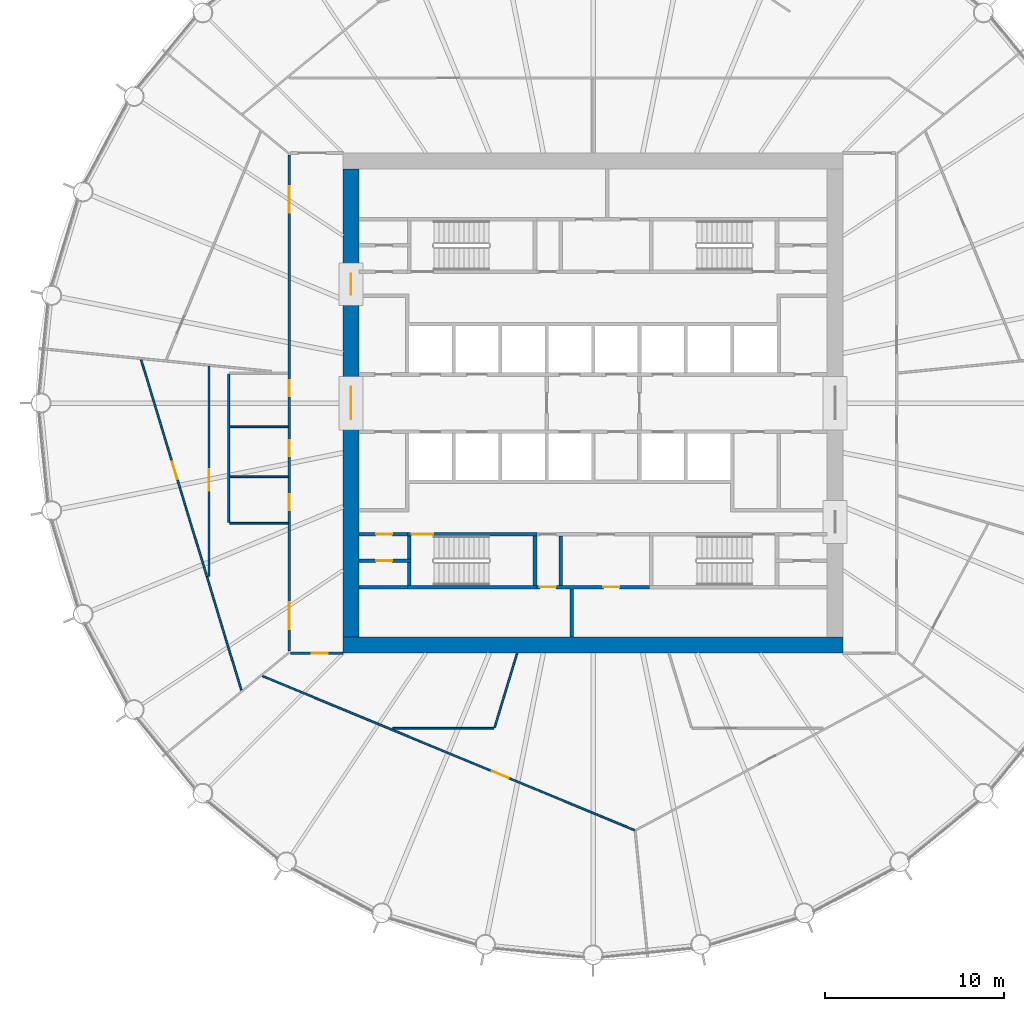
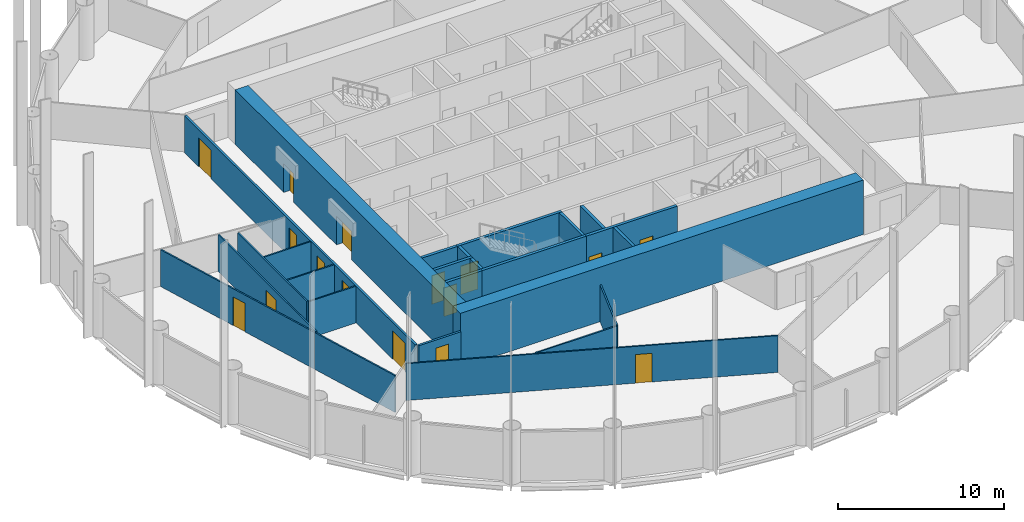
# One storey, part 4 of 9: 25 walls, 16 doors, 16 openings.
"""IFC4 building model written with IfcOpenShell, lengths in metres."""

from ifc_helpers import new_model, si_unit, direction, frame, frame_2d, origin, place, context, subcontext, project, spatial, polyline, rectangle, outline, extrude, material, layer, layer_set, type_object, element, fill, save


model = new_model("IFC4")

# Units and contexts
model_context = context("Model", 3, precision=1e-05, world=origin(), true_north=direction((0.0, 1.0)))
body_context = subcontext(model_context, "Body", "Model", "MODEL_VIEW")
ifc_project = project(units=[si_unit("LENGTHUNIT", "METRE"), si_unit("AREAUNIT", "SQUARE_METRE"), si_unit("VOLUMEUNIT", "CUBIC_METRE"), si_unit("PLANEANGLEUNIT", "RADIAN"), si_unit("MASSUNIT", "GRAM", prefix="KILO")], contexts=[model_context])

# Site, building, storey
site_placement = place(None, origin())
site = spatial("IfcSite", under=ifc_project, at=site_placement, CompositionType="ELEMENT")
building_placement = place(site_placement, origin())
building = spatial("IfcBuilding", under=site, at=building_placement, Name="Corvane Civic Tower", CompositionType="ELEMENT")
storey_placement = place(building_placement, frame((0.0, 0.0, 188.0)))
storey = spatial("IfcBuildingStorey", under=building, at=storey_placement, Name="L44", CompositionType="ELEMENT", Elevation=188.0)

# Wall
ifc_material_1 = material(Name="Concrete C60/75", Category="concrete")
ifc_layer_1 = layer(ifc_material_1, 0.89990234375)
ifc_layer_set_1 = layer_set([ifc_layer_1], Name="Concrete C60/75")
wall_type_1 = type_object("IfcWallType", Name="CORE WALL 900 C60/75", PredefinedType="SHEAR", material=ifc_layer_set_1)
wall_1_placement = place(storey_placement, frame((-14.0, -13.550048828125, 0.0), z_axis=(0.0, 0.0, 1.0), x_axis=(1.0, 0.0, 0.0)))
element("IfcWall", 1, at=wall_1_placement, inside=storey, type_object=wall_type_1, Name="W-L44-core-S", PredefinedType="SHEAR", context=body_context, shape_type="SweptSolid", body=[
    extrude(rectangle(XDim=28.0, YDim=0.89990234375, at=frame_2d((14.0, 0.0))), origin(), (0.0, 0.0, 1.0), 4.0),
])

# Wall, openings, doors
wall_2_placement = place(storey_placement, frame((-13.550048828125, -13.10009765625, 0.0), z_axis=(0.0, 0.0, 1.0), x_axis=(0.0, 1.0, 0.0)))
wall_2 = element("IfcWall", 2, at=wall_2_placement, inside=storey, type_object=wall_type_1, Name="W-L44-core-W", PredefinedType="SHEAR", context=body_context, shape_type="SweptSolid", body=[
    extrude(rectangle(XDim=26.2001953125, YDim=0.89990234375, at=frame_2d((13.10009765625, 0.0))), origin(), (0.0, 0.0, 1.0), 4.0),
])
opening_1_placement = place(wall_2_placement, frame((12.199951171875, 0.0, 0.0)))
opening_1 = element("IfcOpeningElement", 3, at=opening_1_placement, cuts=wall_2, Name="Opening L44.C29", PredefinedType="OPENING", context=body_context, shape_type="SweptSolid", body=[
    extrude(rectangle(XDim=1.800048828125, YDim=2.10009765625, at=frame_2d((0.89990234375, 1.050048828125))), frame((0.0, 0.4599609375, 0.0), z_axis=(0.0, -1.0, 0.0), x_axis=(1.0, 0.0, 0.0)), (0.0, 0.0, 1.0), 0.919921875),
])
opening_2_placement = place(wall_2_placement, frame((19.14990234375, 0.0, 0.0)))
opening_2 = element("IfcOpeningElement", 4, at=opening_2_placement, cuts=wall_2, Name="Opening L44.C31", PredefinedType="OPENING", context=body_context, shape_type="SweptSolid", body=[
    extrude(rectangle(XDim=1.199951171875, YDim=2.10009765625, at=frame_2d((0.60009765625, 1.050048828125))), frame((0.0, 0.4599609375, 0.0), z_axis=(0.0, -1.0, 0.0), x_axis=(1.0, 0.0, 0.0)), (0.0, 0.0, 1.0), 0.919921875),
])
ifc_material_2 = material(Name="Steel fire door leaf", Category="steel")
door_type_1 = type_object("IfcDoorType", Name="CR-DOOR-CORE-1800", OperationType="DOUBLE_DOOR_SINGLE_SWING", PredefinedType="DOOR", material=ifc_material_2)
door_1_placement = place(opening_1_placement, origin())
door_1 = element("IfcDoor", 5, at=door_1_placement, inside=storey, type_object=door_type_1, Name="L44 door", OperationType="DOUBLE_DOOR_SINGLE_SWING", OverallHeight=2.10009765625, OverallWidth=1.800048828125, PredefinedType="DOOR", context=body_context, shape_type="SweptSolid", body=[
    extrude(rectangle(XDim=1.800048828125, YDim=2.10009765625, at=frame_2d((0.89990234375, 1.050048828125))), frame((0.0, 0.02490234375, 0.0), z_axis=(0.0, -1.0, 0.0), x_axis=(1.0, 0.0, 0.0)), (0.0, 0.0, 1.0), 0.050048828125),
])
fill(opening_1, door_1)
door_2_placement = place(opening_2_placement, origin())
door_2 = element("IfcDoor", 6, at=door_2_placement, inside=storey, type_object=door_type_1, Name="L44 door", OperationType="DOUBLE_DOOR_SINGLE_SWING", OverallHeight=2.10009765625, OverallWidth=1.199951171875, PredefinedType="DOOR", context=body_context, shape_type="SweptSolid", body=[
    extrude(rectangle(XDim=1.199951171875, YDim=2.10009765625, at=frame_2d((0.60009765625, 1.050048828125))), frame((0.0, 0.02490234375, 0.0), z_axis=(0.0, -1.0, 0.0), x_axis=(1.0, 0.0, 0.0)), (0.0, 0.0, 1.0), 0.050048828125),
])
fill(opening_2, door_2)

ifc_material_3 = material(Name="Concrete C30/37", Category="concrete")
ifc_layer_2 = layer(ifc_material_3, 0.199951171875)
ifc_layer_set_2 = layer_set([ifc_layer_2], Name="Concrete C30/37")
wall_type_2 = type_object("IfcWallType", Name="CR-WALL-200", PredefinedType="PARTITIONING", material=ifc_layer_set_2)
wall_3_placement = place(storey_placement, frame((-3.14990234375, -10.300048828125, 0.0), z_axis=(0.0, 0.0, 1.0), x_axis=(1.0, 0.0, 0.0)))
wall_3 = element("IfcWall", 7, at=wall_3_placement, inside=storey, type_object=wall_type_2, Name="L44 partition wall", PredefinedType="PARTITIONING", context=body_context, shape_type="SweptSolid", body=[
    extrude(rectangle(XDim=6.2998046875, YDim=0.199951171875, at=frame_2d((3.14990234375, 0.0))), origin(), (0.0, 0.0, 1.0), 3.699951171875),
])
opening_3_placement = place(wall_3_placement, frame((0.175048828125, 0.0, 0.0)))
opening_3 = element("IfcOpeningElement", 8, at=opening_3_placement, cuts=wall_3, Name="Opening L44.C13", PredefinedType="OPENING", context=body_context, shape_type="SweptSolid", body=[
    extrude(rectangle(XDim=0.89990234375, YDim=2.10009765625, at=frame_2d((0.449951171875, 1.050048828125))), frame((0.0, 0.10986328125, 0.0), z_axis=(0.0, -1.0, 0.0), x_axis=(1.0, 0.0, 0.0)), (0.0, 0.0, 1.0), 0.219970703125),
])
opening_4_placement = place(wall_3_placement, frame((3.72509765625, 0.0, 0.0)))
opening_4 = element("IfcOpeningElement", 9, at=opening_4_placement, cuts=wall_3, Name="Opening L44.C14", PredefinedType="OPENING", context=body_context, shape_type="SweptSolid", body=[
    extrude(rectangle(XDim=0.89990234375, YDim=2.10009765625, at=frame_2d((0.449951171875, 1.050048828125))), frame((0.0, 0.10986328125, 0.0), z_axis=(0.0, -1.0, 0.0), x_axis=(1.0, 0.0, 0.0)), (0.0, 0.0, 1.0), 0.219970703125),
])
ifc_material_4 = material(Name="Steel fire door leaf", Category="steel")
door_type_2 = type_object("IfcDoorType", Name="CR-DOOR-900", OperationType="SINGLE_SWING_LEFT", PredefinedType="DOOR", material=ifc_material_4)
door_3_placement = place(opening_3_placement, origin())
door_3 = element("IfcDoor", 10, at=door_3_placement, inside=storey, type_object=door_type_2, Name="L44 door", OperationType="SINGLE_SWING_LEFT", OverallHeight=2.10009765625, OverallWidth=0.89990234375, PredefinedType="DOOR", context=body_context, shape_type="SweptSolid", body=[
    extrude(rectangle(XDim=0.89990234375, YDim=2.10009765625, at=frame_2d((0.449951171875, 1.050048828125))), frame((0.0, 0.02490234375, 0.0), z_axis=(0.0, -1.0, 0.0), x_axis=(1.0, 0.0, 0.0)), (0.0, 0.0, 1.0), 0.050048828125),
])
fill(opening_3, door_3)
door_4_placement = place(opening_4_placement, origin())
door_4 = element("IfcDoor", 11, at=door_4_placement, inside=storey, type_object=door_type_2, Name="L44 door", OperationType="SINGLE_SWING_LEFT", OverallHeight=2.10009765625, OverallWidth=0.89990234375, PredefinedType="DOOR", context=body_context, shape_type="SweptSolid", body=[
    extrude(rectangle(XDim=0.89990234375, YDim=2.10009765625, at=frame_2d((0.449951171875, 1.050048828125))), frame((0.0, 0.02490234375, 0.0), z_axis=(0.0, -1.0, 0.0), x_axis=(1.0, 0.0, 0.0)), (0.0, 0.0, 1.0), 0.050048828125),
])
fill(opening_4, door_4)

# Wall, opening, door
wall_4_placement = place(storey_placement, frame((-13.10009765625, -8.824951171875, 0.0), z_axis=(0.0, 0.0, 1.0), x_axis=(1.0, 0.0, 0.0)))
wall_4 = element("IfcWall", 12, at=wall_4_placement, inside=storey, type_object=wall_type_2, Name="L44 partition wall", PredefinedType="PARTITIONING", context=body_context, shape_type="SweptSolid", body=[
    extrude(rectangle(XDim=2.900146484375, YDim=0.199951171875, at=frame_2d((1.4501953125, 0.0))), origin(), (0.0, 0.0, 1.0), 3.699951171875),
])
opening_5_placement = place(wall_4_placement, frame((0.949951171875, 0.0, 0.0)))
opening_5 = element("IfcOpeningElement", 13, at=opening_5_placement, cuts=wall_4, Name="Opening L44.C18", PredefinedType="OPENING", context=body_context, shape_type="SweptSolid", body=[
    extrude(rectangle(XDim=0.89990234375, YDim=2.10009765625, at=frame_2d((0.449951171875, 1.050048828125))), frame((0.0, 0.10986328125, 0.0), z_axis=(0.0, -1.0, 0.0), x_axis=(1.0, 0.0, 0.0)), (0.0, 0.0, 1.0), 0.219970703125),
])
door_5_placement = place(opening_5_placement, origin())
door_5 = element("IfcDoor", 14, at=door_5_placement, inside=storey, type_object=door_type_2, Name="L44 door", OperationType="SINGLE_SWING_LEFT", OverallHeight=2.10009765625, OverallWidth=0.89990234375, PredefinedType="DOOR", context=body_context, shape_type="SweptSolid", body=[
    extrude(rectangle(XDim=0.89990234375, YDim=2.10009765625, at=frame_2d((0.449951171875, 1.050048828125))), frame((0.0, 0.02490234375, 0.0), z_axis=(0.0, -1.0, 0.0), x_axis=(1.0, 0.0, 0.0)), (0.0, 0.0, 1.0), 0.050048828125),
])
fill(opening_5, door_5)

wall_5_placement = place(storey_placement, frame((-13.10009765625, -7.35009765625, 0.0), z_axis=(0.0, 0.0, 1.0), x_axis=(1.0, 0.0, 0.0)))
wall_5 = element("IfcWall", 15, at=wall_5_placement, inside=storey, type_object=wall_type_2, Name="L44 core partition wall", PredefinedType="PARTITIONING", context=body_context, shape_type="SweptSolid", body=[
    extrude(rectangle(XDim=2.7001953125, YDim=0.199951171875, at=frame_2d((1.35009765625, 0.0))), origin(), (0.0, 0.0, 1.0), 3.699951171875),
])
opening_6_placement = place(wall_5_placement, frame((0.949951171875, 0.0, 0.0)))
opening_6 = element("IfcOpeningElement", 16, at=opening_6_placement, cuts=wall_5, Name="Opening L44.C17", PredefinedType="OPENING", context=body_context, shape_type="SweptSolid", body=[
    extrude(rectangle(XDim=0.89990234375, YDim=2.10009765625, at=frame_2d((0.449951171875, 1.050048828125))), frame((0.0, 0.10986328125, 0.0), z_axis=(0.0, -1.0, 0.0), x_axis=(1.0, 0.0, 0.0)), (0.0, 0.0, 1.0), 0.219970703125),
])
door_6_placement = place(opening_6_placement, origin())
door_6 = element("IfcDoor", 17, at=door_6_placement, inside=storey, type_object=door_type_2, Name="L44 door", OperationType="SINGLE_SWING_LEFT", OverallHeight=2.10009765625, OverallWidth=0.89990234375, PredefinedType="DOOR", context=body_context, shape_type="SweptSolid", body=[
    extrude(rectangle(XDim=0.89990234375, YDim=2.10009765625, at=frame_2d((0.449951171875, 1.050048828125))), frame((0.0, 0.02490234375, 0.0), z_axis=(0.0, -1.0, 0.0), x_axis=(1.0, 0.0, 0.0)), (0.0, 0.0, 1.0), 0.050048828125),
])
fill(opening_6, door_6)

# Walls
wall_6_placement = place(storey_placement, origin())
element("IfcWall", 18, at=wall_6_placement, inside=storey, type_object=wall_type_2, Name="L44 core partition wall", PredefinedType="PARTITIONING", context=body_context, shape_type="SweptSolid", body=[
    extrude(outline(polyline([(-10.39990234375, -10.39990234375), (-13.10009765625, -10.39990234375), (-13.10009765625, -10.199951171875), (-10.39990234375, -10.199951171875), (-10.39990234375, -10.39990234375)])), origin(), (0.0, 0.0, 1.0), 3.699951171875),
])
wall_7_placement = place(storey_placement, origin())
element("IfcWall", 19, at=wall_7_placement, inside=storey, type_object=wall_type_2, Name="L44 core partition wall", PredefinedType="PARTITIONING", context=body_context, shape_type="SweptSolid", body=[
    extrude(outline(polyline([(-1.699951171875, -7.449951171875), (-1.699951171875, -10.199951171875), (-1.89990234375, -10.199951171875), (-1.89990234375, -7.449951171875), (-1.699951171875, -7.449951171875)])), origin(), (0.0, 0.0, 1.0), 3.699951171875),
])
wall_8_placement = place(storey_placement, origin())
element("IfcWall", 20, at=wall_8_placement, inside=storey, type_object=wall_type_2, Name="L44 core partition wall", PredefinedType="PARTITIONING", context=body_context, shape_type="SweptSolid", body=[
    extrude(outline(polyline([(-1.10009765625, -13.10009765625), (-1.300048828125, -13.10009765625), (-1.300048828125, -10.39990234375), (-1.10009765625, -10.39990234375), (-1.10009765625, -13.10009765625)])), origin(), (0.0, 0.0, 1.0), 3.699951171875),
])

# Wall, opening, door
ifc_material_5 = material(Name="Plasterboard")
ifc_layer_3 = layer(ifc_material_5, 0.10009765625)
ifc_layer_set_3 = layer_set([ifc_layer_3], Name="Plasterboard")
wall_type_3 = type_object("IfcWallType", Name="Partition 100 plasterboard on studs", PredefinedType="PARTITIONING", material=ifc_layer_set_3)
wall_9_placement = place(storey_placement, frame((-18.50732421875, -15.28369140625, 0.0), z_axis=(0.0, 0.0, 1.0), x_axis=(0.923875921355, -0.382692150351, 0.0)))
wall_9 = element("IfcWall", 21, at=wall_9_placement, inside=storey, type_object=wall_type_3, Name="Partition L44.002", PredefinedType="PARTITIONING", context=body_context, shape_type="SweptSolid", body=[
    extrude(rectangle(XDim=22.552978515625, YDim=0.10009765625, at=frame_2d((11.2763671875, 0.0))), origin(), (0.0, 0.0, 1.0), 2.699951171875),
])
opening_7_placement = place(wall_9_placement, frame((13.90966796875, 0.0, 0.0)))
opening_7 = element("IfcOpeningElement", 22, at=opening_7_placement, cuts=wall_9, Name="Opening L44.008", PredefinedType="OPENING", context=body_context, shape_type="SweptSolid", body=[
    extrude(rectangle(XDim=1.0, YDim=2.10009765625, at=frame_2d((0.5, 1.050048828125))), frame((0.0, 0.06005859375, 0.0), z_axis=(0.0, -1.0, 0.0), x_axis=(1.0, 0.0, 0.0)), (0.0, 0.0, 1.0), 0.1201171875),
])
ifc_material_6 = material(Name="Timber", Category="wood")
door_type_3 = type_object("IfcDoorType", Name="Single door 1000", OperationType="NOTDEFINED", PredefinedType="DOOR", material=ifc_material_6)
door_7_placement = place(opening_7_placement, frame((1.0, 0.0, 0.0), z_axis=(0.0, 0.0, 1.0), x_axis=(-1.0, 0.0, 0.0)))
door_7 = element("IfcDoor", 23, at=door_7_placement, inside=storey, type_object=door_type_3, Name="Door L44.008", OperationType="SINGLE_SWING_LEFT", OverallHeight=2.10009765625, OverallWidth=1.0, PredefinedType="DOOR", context=body_context, shape_type="SweptSolid", body=[
    extrude(rectangle(XDim=1.0, YDim=2.10009765625, at=frame_2d((0.5, 1.050048828125))), frame((0.0, 0.02490234375, 0.0), z_axis=(0.0, -1.0, 0.0), x_axis=(1.0, 0.0, 0.0)), (0.0, 0.0, 1.0), 0.050048828125),
])
fill(opening_7, door_7)

# Walls
wall_10_placement = place(storey_placement, frame((-11.215576171875, -18.199951171875, 0.0), z_axis=(0.0, 0.0, 1.0), x_axis=(1.0, 0.0, 0.0)))
element("IfcWall", 24, at=wall_10_placement, inside=storey, type_object=wall_type_3, Name="Partition L44.006", PredefinedType="PARTITIONING", context=body_context, shape_type="SweptSolid", body=[
    extrude(rectangle(XDim=5.657470703125, YDim=0.10009765625, at=frame_2d((2.82861328125, 0.0))), origin(), (0.0, 0.0, 1.0), 2.699951171875),
])
wall_11_placement = place(storey_placement, frame((-5.510009765625, -18.16455078125, 0.0), z_axis=(0.0, 0.0, 1.0), x_axis=(0.290259621343, 0.956947936002, 0.0)))
element("IfcWall", 25, at=wall_11_placement, inside=storey, type_object=wall_type_3, Name="Partition L44.008", PredefinedType="PARTITIONING", context=body_context, shape_type="SweptSolid", body=[
    extrude(rectangle(XDim=4.351806640625, YDim=0.10009765625, at=frame_2d((2.17578125, 0.0))), origin(), (0.0, 0.0, 1.0), 2.699951171875),
])
wall_12_placement = place(storey_placement, frame((-21.6162109375, -9.718505859375, 0.0), z_axis=(0.0, 0.0, 1.0), x_axis=(0.290275897765, -0.956942998917, 0.0)))
element("IfcWall", 26, at=wall_12_placement, inside=storey, type_object=wall_type_3, Name="Partition L44.010", PredefinedType="PARTITIONING", context=body_context, shape_type="SweptSolid", body=[
    extrude(rectangle(XDim=6.63671875, YDim=0.10009765625, at=frame_2d((3.318359375, 0.0))), origin(), (0.0, 0.0, 1.0), 2.699951171875),
])

# Wall, opening, door
wall_13_placement = place(storey_placement, frame((-25.29931640625, 2.42236328125, 0.0), z_axis=(0.0, 0.0, 1.0), x_axis=(0.290300056744, -0.95693567028, 0.0)))
wall_13 = element("IfcWall", 27, at=wall_13_placement, inside=storey, type_object=wall_type_3, Name="Partition L44.016", PredefinedType="PARTITIONING", context=body_context, shape_type="SweptSolid", body=[
    extrude(rectangle(XDim=12.687255859375, YDim=0.10009765625, at=frame_2d((6.34375, 0.0))), origin(), (0.0, 0.0, 1.0), 2.699951171875),
])
opening_8_placement = place(wall_13_placement, frame((5.9697265625, 0.0, 0.0)))
opening_8 = element("IfcOpeningElement", 28, at=opening_8_placement, cuts=wall_13, Name="Opening L44.018", PredefinedType="OPENING", context=body_context, shape_type="SweptSolid", body=[
    extrude(rectangle(XDim=1.0, YDim=2.10009765625, at=frame_2d((0.5, 1.050048828125))), frame((0.0, 0.06005859375, 0.0), z_axis=(0.0, -1.0, 0.0), x_axis=(1.0, 0.0, 0.0)), (0.0, 0.0, 1.0), 0.1201171875),
])
door_8_placement = place(opening_8_placement, frame((1.0, 0.0, 0.0), z_axis=(0.0, 0.0, 1.0), x_axis=(-1.0, 0.0, 0.0)))
door_8 = element("IfcDoor", 29, at=door_8_placement, inside=storey, type_object=door_type_3, Name="Door L44.018", OperationType="SINGLE_SWING_LEFT", OverallHeight=2.10009765625, OverallWidth=1.0, PredefinedType="DOOR", context=body_context, shape_type="SweptSolid", body=[
    extrude(rectangle(XDim=1.0, YDim=2.10009765625, at=frame_2d((0.5, 1.050048828125))), frame((0.0, 0.02490234375, 0.0), z_axis=(0.0, -1.0, 0.0), x_axis=(1.0, 0.0, 0.0)), (0.0, 0.0, 1.0), 0.050048828125),
])
fill(opening_8, door_8)

wall_14_placement = place(storey_placement, frame((-21.5, -9.691162109375, 0.0), z_axis=(0.0, 0.0, 1.0), x_axis=(0.0, 1.0, 0.0)))
wall_14 = element("IfcWall", 30, at=wall_14_placement, inside=storey, type_object=wall_type_3, Name="Partition L44.017", PredefinedType="PARTITIONING", context=body_context, shape_type="SweptSolid", body=[
    extrude(rectangle(XDim=11.753662109375, YDim=0.10009765625, at=frame_2d((5.876953125, 0.0))), origin(), (0.0, 0.0, 1.0), 2.699951171875),
])
opening_9_placement = place(wall_14_placement, frame((4.7890625, 0.0, 0.0)))
opening_9 = element("IfcOpeningElement", 31, at=opening_9_placement, cuts=wall_14, Name="Opening L44.019", PredefinedType="OPENING", context=body_context, shape_type="SweptSolid", body=[
    extrude(rectangle(XDim=1.199951171875, YDim=2.10009765625, at=frame_2d((0.60009765625, 1.050048828125))), frame((0.0, 0.06005859375, 0.0), z_axis=(0.0, -1.0, 0.0), x_axis=(1.0, 0.0, 0.0)), (0.0, 0.0, 1.0), 0.1201171875),
])
ifc_material_7 = material(Name="Timber", Category="wood")
door_type_4 = type_object("IfcDoorType", Name="Double door 1200", OperationType="NOTDEFINED", PredefinedType="DOOR", material=ifc_material_7)
door_9_placement = place(opening_9_placement, origin())
door_9 = element("IfcDoor", 32, at=door_9_placement, inside=storey, type_object=door_type_4, Name="Door L44.019", OperationType="DOUBLE_DOOR_SINGLE_SWING", OverallHeight=2.10009765625, OverallWidth=1.199951171875, PredefinedType="DOOR", context=body_context, shape_type="SweptSolid", body=[
    extrude(rectangle(XDim=1.199951171875, YDim=2.10009765625, at=frame_2d((0.60009765625, 1.050048828125))), frame((0.0, 0.02490234375, 0.0), z_axis=(0.0, -1.0, 0.0), x_axis=(1.0, 0.0, 0.0)), (0.0, 0.0, 1.0), 0.050048828125),
])
fill(opening_9, door_9)

# Walls
wall_15_placement = place(storey_placement, frame((-20.35009765625, -6.7255859375, 0.0), z_axis=(0.0, 0.0, 1.0), x_axis=(1.0, 0.0, 0.0)))
element("IfcWall", 33, at=wall_15_placement, inside=storey, type_object=wall_type_3, Name="Partition L44.020", PredefinedType="PARTITIONING", context=body_context, shape_type="SweptSolid", body=[
    extrude(rectangle(XDim=3.275146484375, YDim=0.10009765625, at=frame_2d((1.6376953125, 0.0))), origin(), (0.0, 0.0, 1.0), 2.699951171875),
])
wall_16_placement = place(storey_placement, frame((-20.39990234375, -6.675537109375, 0.0), z_axis=(0.0, 0.0, 1.0), x_axis=(0.0, 1.0, 0.0)))
element("IfcWall", 34, at=wall_16_placement, inside=storey, type_object=wall_type_3, Name="Partition L44.021", PredefinedType="PARTITIONING", context=body_context, shape_type="SweptSolid", body=[
    extrude(rectangle(XDim=8.300048828125, YDim=0.10009765625, at=frame_2d((4.14990234375, 0.0))), origin(), (0.0, 0.0, 1.0), 2.699951171875),
])
for number, where, z_axis, x_axis, name in (
    (35, (-20.35009765625, -4.12548828125, 0.0), (0.0, 0.0, 1.0), (1.0, 0.0, 0.0), "Partition L44.022"),
    (36, (-20.35009765625, -1.32568359375, 0.0), (0.0, 0.0, 1.0), (1.0, 0.0, 0.0), "Partition L44.023"),
):
    element("IfcWall", number, at=place(storey_placement, frame(where, z_axis=z_axis, x_axis=x_axis)), inside=storey, type_object=wall_type_3, Name=name, PredefinedType="PARTITIONING", context=body_context, shape_type="SweptSolid", body=[
        extrude(rectangle(XDim=3.275146484375, YDim=0.10009765625, at=frame_2d((1.6376953125, 0.0))), origin(), (0.0, 0.0, 1.0), 2.699951171875),
    ])

# Wall, opening, door
ifc_material_8 = material(Name="Concrete C50/60", Category="concrete")
ifc_layer_4 = layer(ifc_material_8, 0.199951171875)
ifc_layer_set_4 = layer_set([ifc_layer_4], Name="Concrete C50/60")
wall_type_4 = type_object("IfcWallType", Name="ST-WALL-200", PredefinedType="SHEAR", material=ifc_layer_set_4)
wall_17_placement = place(storey_placement, frame((-10.39990234375, -7.35009765625, 0.0), z_axis=(0.0, 0.0, 1.0), x_axis=(1.0, 0.0, 0.0)))
wall_17 = element("IfcWall", 37, at=wall_17_placement, inside=storey, type_object=wall_type_4, Name="L44 stair enclosure wall", PredefinedType="SHEAR", context=body_context, shape_type="SweptSolid", body=[
    extrude(rectangle(XDim=7.25, YDim=0.199951171875, at=frame_2d((3.625, 0.0))), origin(), (0.0, 0.0, 1.0), 3.699951171875),
])
opening_10_placement = place(wall_17_placement, frame((0.25, 0.0, 0.0)))
opening_10 = element("IfcOpeningElement", 38, at=opening_10_placement, cuts=wall_17, Name="Opening L44.C26", PredefinedType="OPENING", context=body_context, shape_type="SweptSolid", body=[
    extrude(rectangle(XDim=1.199951171875, YDim=2.10009765625, at=frame_2d((0.60009765625, 1.050048828125))), frame((0.0, 0.10986328125, 0.0), z_axis=(0.0, -1.0, 0.0), x_axis=(1.0, 0.0, 0.0)), (0.0, 0.0, 1.0), 0.219970703125),
])
ifc_material_9 = material(Name="Steel fire door leaf", Category="steel")
door_type_5 = type_object("IfcDoorType", Name="ST-DOOR-1200", OperationType="SINGLE_SWING_RIGHT", PredefinedType="DOOR", material=ifc_material_9)
door_10_placement = place(opening_10_placement, origin())
door_10 = element("IfcDoor", 39, at=door_10_placement, inside=storey, type_object=door_type_5, Name="L44 stair door", OperationType="SINGLE_SWING_RIGHT", OverallHeight=2.10009765625, OverallWidth=1.199951171875, PredefinedType="DOOR", context=body_context, shape_type="SweptSolid", body=[
    extrude(rectangle(XDim=1.199951171875, YDim=2.10009765625, at=frame_2d((0.60009765625, 1.050048828125))), frame((0.0, 0.02490234375, 0.0), z_axis=(0.0, -1.0, 0.0), x_axis=(1.0, 0.0, 0.0)), (0.0, 0.0, 1.0), 0.050048828125),
])
fill(opening_10, door_10)

# Walls
wall_18_placement = place(storey_placement, origin())
element("IfcWall", 40, at=wall_18_placement, inside=storey, type_object=wall_type_4, Name="L44 stair enclosure wall", PredefinedType="SHEAR", context=body_context, shape_type="SweptSolid", body=[
    extrude(outline(polyline([(-3.14990234375, -10.199951171875), (-3.14990234375, -10.39990234375), (-10.39990234375, -10.39990234375), (-10.39990234375, -10.199951171875), (-3.14990234375, -10.199951171875)])), origin(), (0.0, 0.0, 1.0), 3.699951171875),
])
wall_19_placement = place(storey_placement, origin())
element("IfcWall", 41, at=wall_19_placement, inside=storey, type_object=wall_type_4, Name="L44 stair enclosure wall", PredefinedType="SHEAR", context=body_context, shape_type="SweptSolid", body=[
    extrude(outline(polyline([(-3.14990234375, -7.449951171875), (-3.14990234375, -10.199951171875), (-3.35009765625, -10.199951171875), (-3.35009765625, -7.449951171875), (-3.14990234375, -7.449951171875)])), origin(), (0.0, 0.0, 1.0), 3.699951171875),
])
wall_20_placement = place(storey_placement, origin())
element("IfcWall", 42, at=wall_20_placement, inside=storey, type_object=wall_type_4, Name="L44 stair enclosure wall", PredefinedType="SHEAR", context=body_context, shape_type="SweptSolid", body=[
    extrude(outline(polyline([(-10.199951171875, -7.449951171875), (-10.199951171875, -8.72509765625), (-10.39990234375, -8.72509765625), (-10.39990234375, -7.449951171875), (-10.199951171875, -7.449951171875)])), origin(), (0.0, 0.0, 1.0), 3.699951171875),
])
wall_21_placement = place(storey_placement, origin())
element("IfcWall", 43, at=wall_21_placement, inside=storey, type_object=wall_type_4, Name="L44 stair enclosure wall", PredefinedType="SHEAR", context=body_context, shape_type="SweptSolid", body=[
    extrude(outline(polyline([(-10.199951171875, -8.925048828125), (-10.199951171875, -10.199951171875), (-10.39990234375, -10.199951171875), (-10.39990234375, -8.925048828125), (-10.199951171875, -8.925048828125)])), origin(), (0.0, 0.0, 1.0), 3.699951171875),
])

# Wall, opening, door
ifc_material_10 = material(Name="Plasterboard")
ifc_layer_5 = layer(ifc_material_10, 0.14990234375)
ifc_layer_set_5 = layer_set([ifc_layer_5], Name="Plasterboard")
wall_type_5 = type_object("IfcWallType", Name="Tenancy wall 150 EI 60", PredefinedType="PARTITIONING", material=ifc_layer_set_5)
wall_22_placement = place(storey_placement, frame((-16.925048828125, -14.0, 0.0), z_axis=(0.0, 0.0, 1.0), x_axis=(1.0, 0.0, 0.0)))
wall_22 = element("IfcWall", 44, at=wall_22_placement, inside=storey, type_object=wall_type_5, Name="Partition L44.012", PredefinedType="PARTITIONING", context=body_context, shape_type="SweptSolid", body=[
    extrude(rectangle(XDim=2.93505859375, YDim=0.14990234375, at=frame_2d((1.467529296875, 0.0))), origin(), (0.0, 0.0, 1.0), 2.699951171875),
])
opening_11_placement = place(wall_22_placement, frame((1.177490234375, 0.0, 0.0)))
opening_11 = element("IfcOpeningElement", 45, at=opening_11_placement, cuts=wall_22, Name="Opening L44.011", PredefinedType="OPENING", context=body_context, shape_type="SweptSolid", body=[
    extrude(rectangle(XDim=0.89990234375, YDim=2.10009765625, at=frame_2d((0.449951171875, 1.050048828125))), frame((0.0, 0.0849609375, 0.0), z_axis=(0.0, -1.0, 0.0), x_axis=(1.0, 0.0, 0.0)), (0.0, 0.0, 1.0), 0.169921875),
])
ifc_material_11 = material(Name="Steel and timber", Category="steel")
door_type_6 = type_object("IfcDoorType", Name="Fire door FD30S 900", OperationType="NOTDEFINED", PredefinedType="DOOR", material=ifc_material_11)
door_11_placement = place(opening_11_placement, frame((0.89990234375, 0.0, 0.0), z_axis=(0.0, 0.0, 1.0), x_axis=(-1.0, 0.0, 0.0)))
door_11 = element("IfcDoor", 46, at=door_11_placement, inside=storey, type_object=door_type_6, Name="Door L44.011", OperationType="SINGLE_SWING_LEFT", OverallHeight=2.10009765625, OverallWidth=0.89990234375, PredefinedType="DOOR", context=body_context, shape_type="SweptSolid", body=[
    extrude(rectangle(XDim=0.89990234375, YDim=2.10009765625, at=frame_2d((0.449951171875, 1.050048828125))), frame((0.0, 0.02490234375, 0.0), z_axis=(0.0, -1.0, 0.0), x_axis=(1.0, 0.0, 0.0)), (0.0, 0.0, 1.0), 0.050048828125),
])
fill(opening_11, door_11)

# Wall, openings, doors
wall_23_placement = place(storey_placement, frame((-17.0, -13.87646484375, 0.0), z_axis=(0.0, 0.0, 1.0), x_axis=(0.0, 1.0, 0.0)))
wall_23 = element("IfcWall", 47, at=wall_23_placement, inside=storey, type_object=wall_type_5, Name="Partition L44.014", PredefinedType="PARTITIONING", context=body_context, shape_type="SweptSolid", body=[
    extrude(rectangle(XDim=27.7529296875, YDim=0.14990234375, at=frame_2d((13.87646484375, 0.0))), origin(), (0.0, 0.0, 1.0), 2.699951171875),
])
opening_12_placement = place(wall_23_placement, frame((1.220947265625, 0.0, 0.0)))
opening_12 = element("IfcOpeningElement", 48, at=opening_12_placement, cuts=wall_23, Name="Opening L44.020", PredefinedType="OPENING", context=body_context, shape_type="SweptSolid", body=[
    extrude(rectangle(XDim=1.5, YDim=2.10009765625, at=frame_2d((0.75, 1.050048828125))), frame((0.0, 0.0849609375, 0.0), z_axis=(0.0, -1.0, 0.0), x_axis=(1.0, 0.0, 0.0)), (0.0, 0.0, 1.0), 0.169921875),
])
opening_13_placement = place(wall_23_placement, frame((14.246826171875, 0.0, 0.0)))
opening_13 = element("IfcOpeningElement", 49, at=opening_13_placement, cuts=wall_23, Name="Opening L44.021", PredefinedType="OPENING", context=body_context, shape_type="SweptSolid", body=[
    extrude(rectangle(XDim=0.89990234375, YDim=2.10009765625, at=frame_2d((0.449951171875, 1.050048828125))), frame((0.0, 0.0849609375, 0.0), z_axis=(0.0, -1.0, 0.0), x_axis=(1.0, 0.0, 0.0)), (0.0, 0.0, 1.0), 0.169921875),
])
opening_14_placement = place(wall_23_placement, frame((10.904052734375, 0.0, 0.0)))
opening_14 = element("IfcOpeningElement", 50, at=opening_14_placement, cuts=wall_23, Name="Opening L44.022", PredefinedType="OPENING", context=body_context, shape_type="SweptSolid", body=[
    extrude(rectangle(XDim=0.89990234375, YDim=2.10009765625, at=frame_2d((0.449951171875, 1.050048828125))), frame((0.0, 0.0849609375, 0.0), z_axis=(0.0, -1.0, 0.0), x_axis=(1.0, 0.0, 0.0)), (0.0, 0.0, 1.0), 0.169921875),
])
opening_15_placement = place(wall_23_placement, frame((7.869873046875, 0.0, 0.0)))
opening_15 = element("IfcOpeningElement", 51, at=opening_15_placement, cuts=wall_23, Name="Opening L44.023", PredefinedType="OPENING", context=body_context, shape_type="SweptSolid", body=[
    extrude(rectangle(XDim=0.89990234375, YDim=2.10009765625, at=frame_2d((0.449951171875, 1.050048828125))), frame((0.0, 0.0849609375, 0.0), z_axis=(0.0, -1.0, 0.0), x_axis=(1.0, 0.0, 0.0)), (0.0, 0.0, 1.0), 0.169921875),
])
opening_16_placement = place(wall_23_placement, frame((24.521484375, 0.0, 0.0)))
opening_16 = element("IfcOpeningElement", 52, at=opening_16_placement, cuts=wall_23, Name="Opening L44.025", PredefinedType="OPENING", context=body_context, shape_type="SweptSolid", body=[
    extrude(rectangle(XDim=1.5, YDim=2.10009765625, at=frame_2d((0.75, 1.050048828125))), frame((0.0, 0.0849609375, 0.0), z_axis=(0.0, -1.0, 0.0), x_axis=(1.0, 0.0, 0.0)), (0.0, 0.0, 1.0), 0.169921875),
])
door_12_placement = place(opening_13_placement, origin())
door_12 = element("IfcDoor", 53, at=door_12_placement, inside=storey, type_object=door_type_6, Name="Door L44.021", OperationType="SINGLE_SWING_LEFT", OverallHeight=2.10009765625, OverallWidth=0.89990234375, PredefinedType="DOOR", context=body_context, shape_type="SweptSolid", body=[
    extrude(rectangle(XDim=0.89990234375, YDim=2.10009765625, at=frame_2d((0.449951171875, 1.050048828125))), frame((0.0, 0.02490234375, 0.0), z_axis=(0.0, -1.0, 0.0), x_axis=(1.0, 0.0, 0.0)), (0.0, 0.0, 1.0), 0.050048828125),
])
fill(opening_13, door_12)
door_13_placement = place(opening_14_placement, origin())
door_13 = element("IfcDoor", 54, at=door_13_placement, inside=storey, type_object=door_type_6, Name="Door L44.022", OperationType="SINGLE_SWING_RIGHT", OverallHeight=2.10009765625, OverallWidth=0.89990234375, PredefinedType="DOOR", context=body_context, shape_type="SweptSolid", body=[
    extrude(rectangle(XDim=0.89990234375, YDim=2.10009765625, at=frame_2d((0.449951171875, 1.050048828125))), frame((0.0, 0.02490234375, 0.0), z_axis=(0.0, -1.0, 0.0), x_axis=(1.0, 0.0, 0.0)), (0.0, 0.0, 1.0), 0.050048828125),
])
fill(opening_14, door_13)
door_14_placement = place(opening_15_placement, origin())
door_14 = element("IfcDoor", 55, at=door_14_placement, inside=storey, type_object=door_type_6, Name="Door L44.023", OperationType="SINGLE_SWING_LEFT", OverallHeight=2.10009765625, OverallWidth=0.89990234375, PredefinedType="DOOR", context=body_context, shape_type="SweptSolid", body=[
    extrude(rectangle(XDim=0.89990234375, YDim=2.10009765625, at=frame_2d((0.449951171875, 1.050048828125))), frame((0.0, 0.02490234375, 0.0), z_axis=(0.0, -1.0, 0.0), x_axis=(1.0, 0.0, 0.0)), (0.0, 0.0, 1.0), 0.050048828125),
])
fill(opening_15, door_14)
ifc_material_12 = material(Name="Steel and timber", Category="steel")
door_type_7 = type_object("IfcDoorType", Name="Fire door FD60 double 1500", OperationType="NOTDEFINED", PredefinedType="DOOR", material=ifc_material_12)
door_15_placement = place(opening_12_placement, origin())
door_15 = element("IfcDoor", 56, at=door_15_placement, inside=storey, type_object=door_type_7, Name="Door L44.020", OperationType="DOUBLE_DOOR_SINGLE_SWING", OverallHeight=2.10009765625, OverallWidth=1.5, PredefinedType="DOOR", context=body_context, shape_type="SweptSolid", body=[
    extrude(rectangle(XDim=1.5, YDim=2.10009765625, at=frame_2d((0.75, 1.050048828125))), frame((0.0, 0.02490234375, 0.0), z_axis=(0.0, -1.0, 0.0), x_axis=(1.0, 0.0, 0.0)), (0.0, 0.0, 1.0), 0.050048828125),
])
fill(opening_12, door_15)
door_16_placement = place(opening_16_placement, origin())
door_16 = element("IfcDoor", 57, at=door_16_placement, inside=storey, type_object=door_type_7, Name="Door L44.025", OperationType="DOUBLE_DOOR_SINGLE_SWING", OverallHeight=2.10009765625, OverallWidth=1.5, PredefinedType="DOOR", context=body_context, shape_type="SweptSolid", body=[
    extrude(rectangle(XDim=1.5, YDim=2.10009765625, at=frame_2d((0.75, 1.050048828125))), frame((0.0, 0.02490234375, 0.0), z_axis=(0.0, -1.0, 0.0), x_axis=(1.0, 0.0, 0.0)), (0.0, 0.0, 1.0), 0.050048828125),
])
fill(opening_16, door_16)

save(model, "model.ifc")
